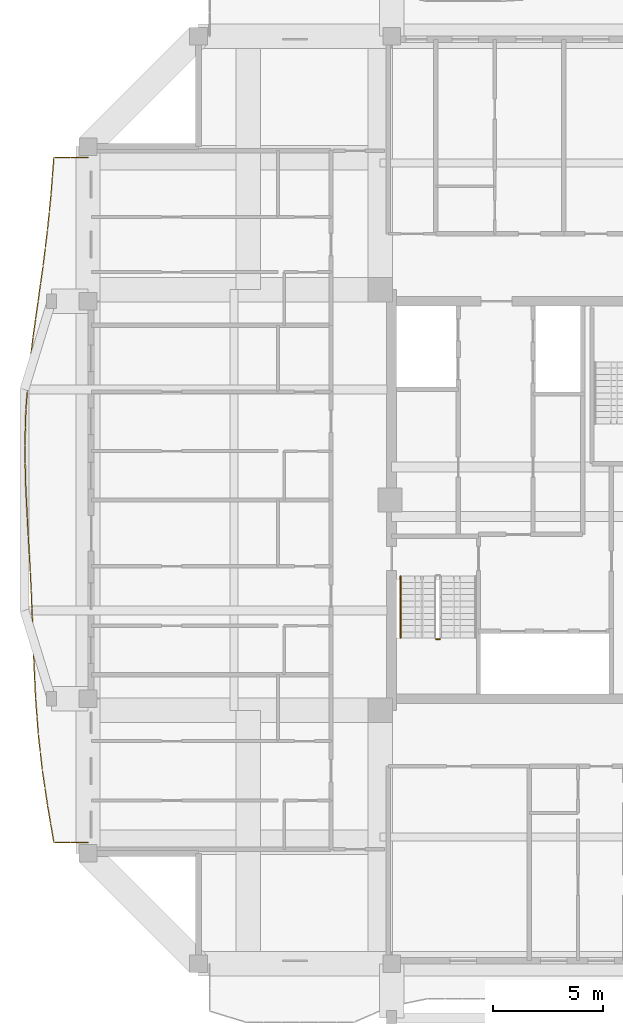
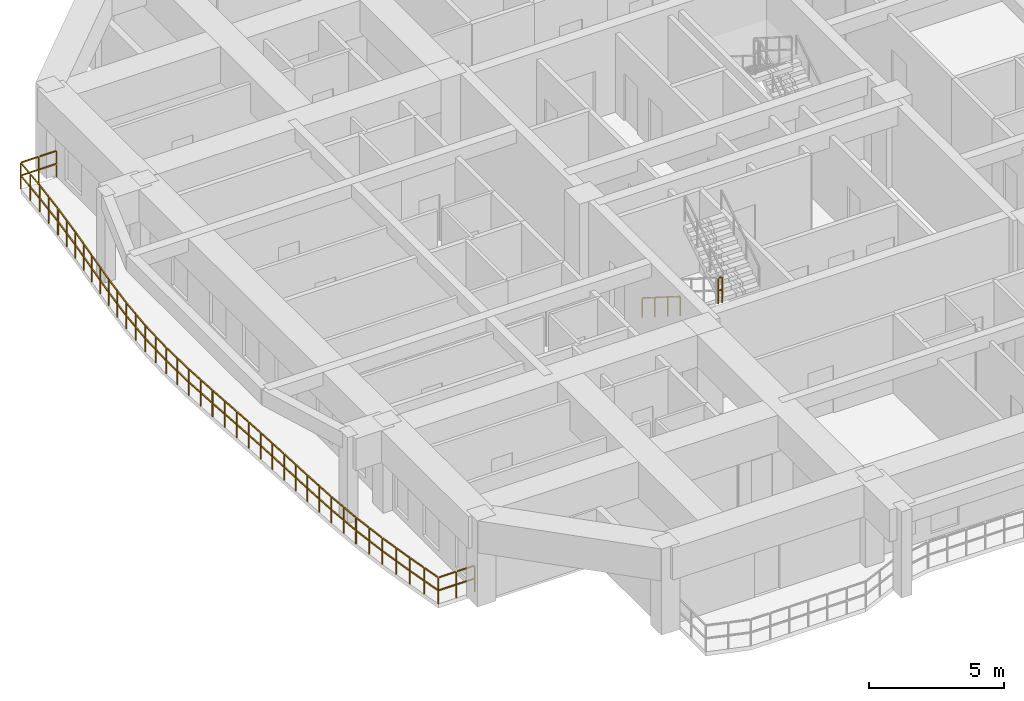
# One storey, part 10 of 13: 3 railings.
"""IFC4 building model written with IfcOpenShell, lengths in metres."""

from ifc_helpers import new_model, si_unit, direction, frame, origin, origin_2d, place, context, subcontext, project, spatial, rectangle, extrude, material, type_object, element, save


model = new_model("IFC4")

# Units and contexts
model_context = context("Model", 3, precision=1e-05, world=origin(), true_north=direction((0.0, 1.0)))
body_context = subcontext(model_context, "Body", "Model", "MODEL_VIEW")
ifc_project = project(units=[si_unit("LENGTHUNIT", "METRE"), si_unit("AREAUNIT", "SQUARE_METRE"), si_unit("VOLUMEUNIT", "CUBIC_METRE"), si_unit("PLANEANGLEUNIT", "RADIAN"), si_unit("MASSUNIT", "GRAM", prefix="KILO")], contexts=[model_context])

# Site, building, storey
site_placement = place(None, origin())
site = spatial("IfcSite", under=ifc_project, at=site_placement, CompositionType="ELEMENT")
building_placement = place(site_placement, origin())
building = spatial("IfcBuilding", under=site, at=building_placement, Name="Saelheon Loggia Tower", CompositionType="ELEMENT")
storey_placement = place(building_placement, frame((0.0, 0.0, 192.699951171875)))
storey = spatial("IfcBuildingStorey", under=building, at=storey_placement, Name="L60", CompositionType="ELEMENT", Elevation=192.699951171875)

# Railings
ifc_material_1 = material(Name="Architectural Precast Concrete and Laminated Glass Guard", Category="concrete")
railing_type_1 = type_object("IfcRailingType", Name="Guard_Loggia_RL_LOG", PredefinedType="BALUSTRADE", material=ifc_material_1)
railing_1_placement = place(storey_placement, frame((17.75, 42.5, 0.0)))
element("IfcRailing", 1, at=railing_1_placement, inside=storey, type_object=railing_type_1, Name="L60 West Loggia Balustrade", PredefinedType="BALUSTRADE", context=body_context, shape_type="SweptSolid", body=[
    extrude(rectangle(XDim=0.048095703125, YDim=0.048095703125, at=origin_2d()), frame((-0.033203125, 0.0, 1.19580078125), z_axis=(-1.0, 0.0, 0.0), x_axis=(0.0, -1.0, 0.0)), (0.0, 0.0, 1.0), 0.70849609375),
    extrude(rectangle(XDim=0.048095703125, YDim=0.048095703125, at=origin_2d()), frame((-0.033203125, 0.0, 0.60986328125), z_axis=(-1.0, 0.0, 0.0), x_axis=(0.0, -1.0, 0.0)), (0.0, 0.0, 1.0), 0.70849609375),
    extrude(rectangle(XDim=0.048095703125, YDim=0.048095703125, at=origin_2d()), frame((-0.808349609375, 0.0, 1.19580078125), z_axis=(-1.0, 0.0, 0.0), x_axis=(0.0, -1.0, 0.0)), (0.0, 0.0, 1.0), 0.70849609375),
    extrude(rectangle(XDim=0.048095703125, YDim=0.048095703125, at=origin_2d()), frame((-0.808349609375, 0.0, 0.60986328125), z_axis=(-1.0, 0.0, 0.0), x_axis=(0.0, -1.0, 0.0)), (0.0, 0.0, 1.0), 0.70849609375),
    extrude(rectangle(XDim=0.048095703125, YDim=0.048095703125, at=origin_2d()), frame((-1.552490234375, -0.033203125, 1.19580078125), z_axis=(-0.076388448974, -0.997078133781, 0.0), x_axis=(0.997078133781, -0.076388448974, 0.0)), (0.0, 0.0, 1.0), 0.751708984375),
    extrude(rectangle(XDim=0.048095703125, YDim=0.048095703125, at=origin_2d()), frame((-1.552490234375, -0.033203125, 0.60986328125), z_axis=(-0.076388448974, -0.997078133781, 0.0), x_axis=(0.997078133781, -0.076388448974, 0.0)), (0.0, 0.0, 1.0), 0.751708984375),
    extrude(rectangle(XDim=0.048095703125, YDim=0.048095703125, at=origin_2d()), frame((-1.614990234375, -0.848876953125, 1.19580078125), z_axis=(-0.076388448974, -0.997078133781, 0.0), x_axis=(0.997078133781, -0.076388448974, 0.0)), (0.0, 0.0, 1.0), 0.751708984375),
    extrude(rectangle(XDim=0.048095703125, YDim=0.048095703125, at=origin_2d()), frame((-1.614990234375, -0.848876953125, 0.60986328125), z_axis=(-0.076388448974, -0.997078133781, 0.0), x_axis=(0.997078133781, -0.076388448974, 0.0)), (0.0, 0.0, 1.0), 0.751708984375),
    extrude(rectangle(XDim=0.048095703125, YDim=0.048095703125, at=origin_2d()), frame((-1.67822265625, -1.66455078125, 1.19580078125), z_axis=(-0.099164643461, -0.995071039417, 0.0), x_axis=(0.995071039417, -0.099164643461, 0.0)), (0.0, 0.0, 1.0), 0.75341796875),
    extrude(rectangle(XDim=0.048095703125, YDim=0.048095703125, at=origin_2d()), frame((-1.67822265625, -1.66455078125, 0.60986328125), z_axis=(-0.099164643461, -0.995071039417, 0.0), x_axis=(0.995071039417, -0.099164643461, 0.0)), (0.0, 0.0, 1.0), 0.75341796875),
    extrude(rectangle(XDim=0.048095703125, YDim=0.048095703125, at=origin_2d()), frame((-1.759521484375, -2.48046875, 1.19580078125), z_axis=(-0.099164643461, -0.995071039417, 0.0), x_axis=(0.995071039417, -0.099164643461, 0.0)), (0.0, 0.0, 1.0), 0.75341796875),
    extrude(rectangle(XDim=0.048095703125, YDim=0.048095703125, at=origin_2d()), frame((-1.759521484375, -2.48046875, 0.60986328125), z_axis=(-0.099164643461, -0.995071039417, 0.0), x_axis=(0.995071039417, -0.099164643461, 0.0)), (0.0, 0.0, 1.0), 0.75341796875),
    extrude(rectangle(XDim=0.048095703125, YDim=0.048095703125, at=origin_2d()), frame((-1.841796875, -3.296142578125, 1.19580078125), z_axis=(-0.122224972711, -0.992502421179, 0.0), x_axis=(0.992502421179, -0.122224972711, 0.0)), (0.0, 0.0, 1.0), 0.75537109375),
    extrude(rectangle(XDim=0.048095703125, YDim=0.048095703125, at=origin_2d()), frame((-1.841796875, -3.296142578125, 0.60986328125), z_axis=(-0.122224972711, -0.992502421179, 0.0), x_axis=(0.992502421179, -0.122224972711, 0.0)), (0.0, 0.0, 1.0), 0.75537109375),
    extrude(rectangle(XDim=0.048095703125, YDim=0.048095703125, at=origin_2d()), frame((-1.942138671875, -4.112060546875, 1.19580078125), z_axis=(-0.122224972711, -0.992502421179, 0.0), x_axis=(0.992502421179, -0.122224972711, 0.0)), (0.0, 0.0, 1.0), 0.75537109375),
    extrude(rectangle(XDim=0.048095703125, YDim=0.048095703125, at=origin_2d()), frame((-1.942138671875, -4.112060546875, 0.60986328125), z_axis=(-0.122224972711, -0.992502421179, 0.0), x_axis=(0.992502421179, -0.122224972711, 0.0)), (0.0, 0.0, 1.0), 0.75537109375),
    extrude(rectangle(XDim=0.048095703125, YDim=0.048095703125, at=origin_2d()), frame((-2.043212890625, -4.927734375, 1.19580078125), z_axis=(-0.138993727262, -0.990293261505, 0.0), x_axis=(0.990293261505, -0.138993727262, 0.0)), (0.0, 0.0, 1.0), 0.75732421875),
    extrude(rectangle(XDim=0.048095703125, YDim=0.048095703125, at=origin_2d()), frame((-2.043212890625, -4.927734375, 0.60986328125), z_axis=(-0.138993727262, -0.990293261505, 0.0), x_axis=(0.990293261505, -0.138993727262, 0.0)), (0.0, 0.0, 1.0), 0.75732421875),
    extrude(rectangle(XDim=0.048095703125, YDim=0.048095703125, at=origin_2d()), frame((-2.15771484375, -5.743408203125, 1.19580078125), z_axis=(-0.138993727262, -0.990293261505, 0.0), x_axis=(0.990293261505, -0.138993727262, 0.0)), (0.0, 0.0, 1.0), 0.75732421875),
    extrude(rectangle(XDim=0.048095703125, YDim=0.048095703125, at=origin_2d()), frame((-2.15771484375, -5.743408203125, 0.60986328125), z_axis=(-0.138993727262, -0.990293261505, 0.0), x_axis=(0.990293261505, -0.138993727262, 0.0)), (0.0, 0.0, 1.0), 0.75732421875),
    extrude(rectangle(XDim=0.048095703125, YDim=0.048095703125, at=origin_2d()), frame((-2.272216796875, -6.559326171875, 1.19580078125), z_axis=(-0.138848404574, -0.990313647562, 0.0), x_axis=(0.990313647562, -0.138848404574, 0.0)), (0.0, 0.0, 1.0), 0.75732421875),
    extrude(rectangle(XDim=0.048095703125, YDim=0.048095703125, at=origin_2d()), frame((-2.272216796875, -6.559326171875, 0.60986328125), z_axis=(-0.138848404574, -0.990313647562, 0.0), x_axis=(0.990313647562, -0.138848404574, 0.0)), (0.0, 0.0, 1.0), 0.75732421875),
    extrude(rectangle(XDim=0.048095703125, YDim=0.048095703125, at=origin_2d()), frame((-2.386474609375, -7.375, 1.19580078125), z_axis=(-0.138848404574, -0.990313647562, 0.0), x_axis=(0.990313647562, -0.138848404574, 0.0)), (0.0, 0.0, 1.0), 0.75732421875),
    extrude(rectangle(XDim=0.048095703125, YDim=0.048095703125, at=origin_2d()), frame((-2.386474609375, -7.375, 0.60986328125), z_axis=(-0.138848404574, -0.990313647562, 0.0), x_axis=(0.990313647562, -0.138848404574, 0.0)), (0.0, 0.0, 1.0), 0.75732421875),
    extrude(rectangle(XDim=0.048095703125, YDim=0.048095703125, at=origin_2d()), frame((-2.500244140625, -8.19091796875, 1.19580078125), z_axis=(-0.117393022893, -0.993085534169, 0.0), x_axis=(0.993085534169, -0.117393022893, 0.0)), (0.0, 0.0, 1.0), 0.755126953125),
    extrude(rectangle(XDim=0.048095703125, YDim=0.048095703125, at=origin_2d()), frame((-2.500244140625, -8.19091796875, 0.60986328125), z_axis=(-0.117393022893, -0.993085534169, 0.0), x_axis=(0.993085534169, -0.117393022893, 0.0)), (0.0, 0.0, 1.0), 0.755126953125),
    extrude(rectangle(XDim=0.048095703125, YDim=0.048095703125, at=origin_2d()), frame((-2.5966796875, -9.0068359375, 1.19580078125), z_axis=(-0.117393022893, -0.993085534169, 0.0), x_axis=(0.993085534169, -0.117393022893, 0.0)), (0.0, 0.0, 1.0), 0.755126953125),
    extrude(rectangle(XDim=0.048095703125, YDim=0.048095703125, at=origin_2d()), frame((-2.5966796875, -9.0068359375, 0.60986328125), z_axis=(-0.117393022893, -0.993085534169, 0.0), x_axis=(0.993085534169, -0.117393022893, 0.0)), (0.0, 0.0, 1.0), 0.755126953125),
    extrude(rectangle(XDim=0.048095703125, YDim=0.048095703125, at=origin_2d()), frame((-2.691650390625, -9.82275390625, 1.19580078125), z_axis=(-0.07668509002, -0.997055363041, 0.0), x_axis=(0.997055363041, -0.07668509002, 0.0)), (0.0, 0.0, 1.0), 0.751708984375),
    extrude(rectangle(XDim=0.048095703125, YDim=0.048095703125, at=origin_2d()), frame((-2.691650390625, -9.82275390625, 0.60986328125), z_axis=(-0.07668509002, -0.997055363041, 0.0), x_axis=(0.997055363041, -0.07668509002, 0.0)), (0.0, 0.0, 1.0), 0.751708984375),
    extrude(rectangle(XDim=0.048095703125, YDim=0.048095703125, at=origin_2d()), frame((-2.75439453125, -10.638427734375, 1.19580078125), z_axis=(-0.07668509002, -0.997055363041, 0.0), x_axis=(0.997055363041, -0.07668509002, 0.0)), (0.0, 0.0, 1.0), 0.751708984375),
    extrude(rectangle(XDim=0.048095703125, YDim=0.048095703125, at=origin_2d()), frame((-2.75439453125, -10.638427734375, 0.60986328125), z_axis=(-0.07668509002, -0.997055363041, 0.0), x_axis=(0.997055363041, -0.07668509002, 0.0)), (0.0, 0.0, 1.0), 0.751708984375),
    extrude(rectangle(XDim=0.048095703125, YDim=0.048095703125, at=origin_2d()), frame((-2.815673828125, -11.454345703125, 1.19580078125), z_axis=(-0.027077766049, -0.999633330069, 0.0), x_axis=(0.999633330069, -0.027077766049, 0.0)), (0.0, 0.0, 1.0), 0.74951171875),
    extrude(rectangle(XDim=0.048095703125, YDim=0.048095703125, at=origin_2d()), frame((-2.815673828125, -11.454345703125, 0.60986328125), z_axis=(-0.027077766049, -0.999633330069, 0.0), x_axis=(0.999633330069, -0.027077766049, 0.0)), (0.0, 0.0, 1.0), 0.74951171875),
    extrude(rectangle(XDim=0.048095703125, YDim=0.048095703125, at=origin_2d()), frame((-2.837646484375, -12.27001953125, 1.19580078125), z_axis=(-0.027077766049, -0.999633330069, 0.0), x_axis=(0.999633330069, -0.027077766049, 0.0)), (0.0, 0.0, 1.0), 0.74951171875),
    extrude(rectangle(XDim=0.048095703125, YDim=0.048095703125, at=origin_2d()), frame((-2.837646484375, -12.27001953125, 0.60986328125), z_axis=(-0.027077766049, -0.999633330069, 0.0), x_axis=(0.999633330069, -0.027077766049, 0.0)), (0.0, 0.0, 1.0), 0.74951171875),
    extrude(rectangle(XDim=0.048095703125, YDim=0.048095703125, at=origin_2d()), frame((-2.8583984375, -13.085693359375, 1.19580078125), z_axis=(0.017803552147, -0.999841504205, 0.0), x_axis=(0.999841504205, 0.017803552147, 0.0)), (0.0, 0.0, 1.0), 0.74951171875),
    extrude(rectangle(XDim=0.048095703125, YDim=0.048095703125, at=origin_2d()), frame((-2.8583984375, -13.085693359375, 0.60986328125), z_axis=(0.017803552147, -0.999841504205, 0.0), x_axis=(0.999841504205, 0.017803552147, 0.0)), (0.0, 0.0, 1.0), 0.74951171875),
    extrude(rectangle(XDim=0.048095703125, YDim=0.048095703125, at=origin_2d()), frame((-2.84375, -13.901611328125, 1.19580078125), z_axis=(0.017803552147, -0.999841504205, 0.0), x_axis=(0.999841504205, 0.017803552147, 0.0)), (0.0, 0.0, 1.0), 0.74951171875),
    extrude(rectangle(XDim=0.048095703125, YDim=0.048095703125, at=origin_2d()), frame((-2.84375, -13.901611328125, 0.60986328125), z_axis=(0.017803552147, -0.999841504205, 0.0), x_axis=(0.999841504205, 0.017803552147, 0.0)), (0.0, 0.0, 1.0), 0.74951171875),
    extrude(rectangle(XDim=0.048095703125, YDim=0.048095703125, at=origin_2d()), frame((-2.828369140625, -14.71728515625, 1.19580078125), z_axis=(0.047373442202, -0.998877248201, 0.0), x_axis=(0.998877248201, 0.047373442202, 0.0)), (0.0, 0.0, 1.0), 0.75048828125),
    extrude(rectangle(XDim=0.048095703125, YDim=0.048095703125, at=origin_2d()), frame((-2.828369140625, -14.71728515625, 0.60986328125), z_axis=(0.047373442202, -0.998877248201, 0.0), x_axis=(0.998877248201, 0.047373442202, 0.0)), (0.0, 0.0, 1.0), 0.75048828125),
    extrude(rectangle(XDim=0.048095703125, YDim=0.048095703125, at=origin_2d()), frame((-2.78955078125, -15.533203125, 1.19580078125), z_axis=(0.047373442202, -0.998877248201, 0.0), x_axis=(0.998877248201, 0.047373442202, 0.0)), (0.0, 0.0, 1.0), 0.75048828125),
    extrude(rectangle(XDim=0.048095703125, YDim=0.048095703125, at=origin_2d()), frame((-2.78955078125, -15.533203125, 0.60986328125), z_axis=(0.047373442202, -0.998877248201, 0.0), x_axis=(0.998877248201, 0.047373442202, 0.0)), (0.0, 0.0, 1.0), 0.75048828125),
    extrude(rectangle(XDim=0.048095703125, YDim=0.048095703125, at=origin_2d()), frame((-2.75048828125, -16.34912109375, 1.19580078125), z_axis=(0.057066808054, -0.998370361849, 0.0), x_axis=(0.998370361849, 0.057066808054, 0.0)), (0.0, 0.0, 1.0), 0.750732421875),
    extrude(rectangle(XDim=0.048095703125, YDim=0.048095703125, at=origin_2d()), frame((-2.75048828125, -16.34912109375, 0.60986328125), z_axis=(0.057066808054, -0.998370361849, 0.0), x_axis=(0.998370361849, 0.057066808054, 0.0)), (0.0, 0.0, 1.0), 0.750732421875),
    extrude(rectangle(XDim=0.048095703125, YDim=0.048095703125, at=origin_2d()), frame((-2.703857421875, -17.164794921875, 1.19580078125), z_axis=(0.057066808054, -0.998370361849, 0.0), x_axis=(0.998370361849, 0.057066808054, 0.0)), (0.0, 0.0, 1.0), 0.750732421875),
    extrude(rectangle(XDim=0.048095703125, YDim=0.048095703125, at=origin_2d()), frame((-2.703857421875, -17.164794921875, 0.60986328125), z_axis=(0.057066808054, -0.998370361849, 0.0), x_axis=(0.998370361849, 0.057066808054, 0.0)), (0.0, 0.0, 1.0), 0.750732421875),
    extrude(rectangle(XDim=0.048095703125, YDim=0.048095703125, at=origin_2d()), frame((-2.657470703125, -17.980712890625, 1.19580078125), z_axis=(0.051264440906, -0.998685114087, 0.0), x_axis=(0.998685114087, 0.051264440906, 0.0)), (0.0, 0.0, 1.0), 0.750244140625),
    extrude(rectangle(XDim=0.048095703125, YDim=0.048095703125, at=origin_2d()), frame((-2.657470703125, -17.980712890625, 0.60986328125), z_axis=(0.051264440906, -0.998685114087, 0.0), x_axis=(0.998685114087, 0.051264440906, 0.0)), (0.0, 0.0, 1.0), 0.750244140625),
    extrude(rectangle(XDim=0.048095703125, YDim=0.048095703125, at=origin_2d()), frame((-2.61572265625, -18.79638671875, 1.19580078125), z_axis=(0.051264440906, -0.998685114087, 0.0), x_axis=(0.998685114087, 0.051264440906, 0.0)), (0.0, 0.0, 1.0), 0.750244140625),
    extrude(rectangle(XDim=0.048095703125, YDim=0.048095703125, at=origin_2d()), frame((-2.61572265625, -18.79638671875, 0.60986328125), z_axis=(0.051264440906, -0.998685114087, 0.0), x_axis=(0.998685114087, 0.051264440906, 0.0)), (0.0, 0.0, 1.0), 0.750244140625),
    extrude(rectangle(XDim=0.048095703125, YDim=0.048095703125, at=origin_2d()), frame((-2.57421875, -19.612060546875, 1.19580078125), z_axis=(0.039920270214, -0.999202868304, 0.0), x_axis=(0.999202868304, 0.039920270214, 0.0)), (0.0, 0.0, 1.0), 0.75),
    extrude(rectangle(XDim=0.048095703125, YDim=0.048095703125, at=origin_2d()), frame((-2.57421875, -19.612060546875, 0.60986328125), z_axis=(0.039920270214, -0.999202868304, 0.0), x_axis=(0.999202868304, 0.039920270214, 0.0)), (0.0, 0.0, 1.0), 0.75),
    extrude(rectangle(XDim=0.048095703125, YDim=0.048095703125, at=origin_2d()), frame((-2.54150390625, -20.427978515625, 1.19580078125), z_axis=(0.039920270214, -0.999202868304, 0.0), x_axis=(0.999202868304, 0.039920270214, 0.0)), (0.0, 0.0, 1.0), 0.75),
    extrude(rectangle(XDim=0.048095703125, YDim=0.048095703125, at=origin_2d()), frame((-2.54150390625, -20.427978515625, 0.60986328125), z_axis=(0.039920270214, -0.999202868304, 0.0), x_axis=(0.999202868304, 0.039920270214, 0.0)), (0.0, 0.0, 1.0), 0.75),
    extrude(rectangle(XDim=0.048095703125, YDim=0.048095703125, at=origin_2d()), frame((-2.509033203125, -21.24365234375, 1.19580078125), z_axis=(0.035440836595, -0.999371776218, 0.0), x_axis=(0.999371776218, 0.035440836595, 0.0)), (0.0, 0.0, 1.0), 0.749755859375),
    extrude(rectangle(XDim=0.048095703125, YDim=0.048095703125, at=origin_2d()), frame((-2.509033203125, -21.24365234375, 0.60986328125), z_axis=(0.035440836595, -0.999371776218, 0.0), x_axis=(0.999371776218, 0.035440836595, 0.0)), (0.0, 0.0, 1.0), 0.749755859375),
    extrude(rectangle(XDim=0.048095703125, YDim=0.048095703125, at=origin_2d()), frame((-2.480224609375, -22.0595703125, 1.19580078125), z_axis=(0.035440836595, -0.999371776218, 0.0), x_axis=(0.999371776218, 0.035440836595, 0.0)), (0.0, 0.0, 1.0), 0.749755859375),
    extrude(rectangle(XDim=0.048095703125, YDim=0.048095703125, at=origin_2d()), frame((-2.480224609375, -22.0595703125, 0.60986328125), z_axis=(0.035440836595, -0.999371776218, 0.0), x_axis=(0.999371776218, 0.035440836595, 0.0)), (0.0, 0.0, 1.0), 0.749755859375),
    extrude(rectangle(XDim=0.048095703125, YDim=0.048095703125, at=origin_2d()), frame((-2.450927734375, -22.875244140625, 1.19580078125), z_axis=(0.04633652921, -0.99892588617, 0.0), x_axis=(0.99892588617, 0.04633652921, 0.0)), (0.0, 0.0, 1.0), 0.750244140625),
    extrude(rectangle(XDim=0.048095703125, YDim=0.048095703125, at=origin_2d()), frame((-2.450927734375, -22.875244140625, 0.60986328125), z_axis=(0.04633652921, -0.99892588617, 0.0), x_axis=(0.99892588617, 0.04633652921, 0.0)), (0.0, 0.0, 1.0), 0.750244140625),
    extrude(rectangle(XDim=0.048095703125, YDim=0.048095703125, at=origin_2d()), frame((-2.4130859375, -23.69091796875, 1.19580078125), z_axis=(0.04633652921, -0.99892588617, 0.0), x_axis=(0.99892588617, 0.04633652921, 0.0)), (0.0, 0.0, 1.0), 0.750244140625),
    extrude(rectangle(XDim=0.048095703125, YDim=0.048095703125, at=origin_2d()), frame((-2.4130859375, -23.69091796875, 0.60986328125), z_axis=(0.04633652921, -0.99892588617, 0.0), x_axis=(0.99892588617, 0.04633652921, 0.0)), (0.0, 0.0, 1.0), 0.750244140625),
    extrude(rectangle(XDim=0.048095703125, YDim=0.048095703125, at=origin_2d()), frame((-2.374267578125, -24.5068359375, 1.19580078125), z_axis=(0.074162999853, -0.997246132834, 0.0), x_axis=(0.997246132834, 0.074162999853, 0.0)), (0.0, 0.0, 1.0), 0.75146484375),
    extrude(rectangle(XDim=0.048095703125, YDim=0.048095703125, at=origin_2d()), frame((-2.374267578125, -24.5068359375, 0.60986328125), z_axis=(0.074162999853, -0.997246132834, 0.0), x_axis=(0.997246132834, 0.074162999853, 0.0)), (0.0, 0.0, 1.0), 0.75146484375),
    extrude(rectangle(XDim=0.048095703125, YDim=0.048095703125, at=origin_2d()), frame((-2.3134765625, -25.322509765625, 1.19580078125), z_axis=(0.074162999853, -0.997246132834, 0.0), x_axis=(0.997246132834, 0.074162999853, 0.0)), (0.0, 0.0, 1.0), 0.75146484375),
    extrude(rectangle(XDim=0.048095703125, YDim=0.048095703125, at=origin_2d()), frame((-2.3134765625, -25.322509765625, 0.60986328125), z_axis=(0.074162999853, -0.997246132834, 0.0), x_axis=(0.997246132834, 0.074162999853, 0.0)), (0.0, 0.0, 1.0), 0.75146484375),
    extrude(rectangle(XDim=0.048095703125, YDim=0.048095703125, at=origin_2d()), frame((-2.251708984375, -26.13818359375, 1.19580078125), z_axis=(0.111671794523, -0.993745143539, 0.0), x_axis=(0.993745143539, 0.111671794523, 0.0)), (0.0, 0.0, 1.0), 0.75439453125),
    extrude(rectangle(XDim=0.048095703125, YDim=0.048095703125, at=origin_2d()), frame((-2.251708984375, -26.13818359375, 0.60986328125), z_axis=(0.111671794523, -0.993745143539, 0.0), x_axis=(0.993745143539, 0.111671794523, 0.0)), (0.0, 0.0, 1.0), 0.75439453125),
    extrude(rectangle(XDim=0.048095703125, YDim=0.048095703125, at=origin_2d()), frame((-2.159912109375, -26.9541015625, 1.19580078125), z_axis=(0.111671794523, -0.993745143539, 0.0), x_axis=(0.993745143539, 0.111671794523, 0.0)), (0.0, 0.0, 1.0), 0.75439453125),
    extrude(rectangle(XDim=0.048095703125, YDim=0.048095703125, at=origin_2d()), frame((-2.159912109375, -26.9541015625, 0.60986328125), z_axis=(0.111671794523, -0.993745143539, 0.0), x_axis=(0.993745143539, 0.111671794523, 0.0)), (0.0, 0.0, 1.0), 0.75439453125),
    extrude(rectangle(XDim=0.048095703125, YDim=0.048095703125, at=origin_2d()), frame((-2.067138671875, -27.769775390625, 1.19580078125), z_axis=(0.147262012595, -0.989097517764, 0.0), x_axis=(0.989097517764, 0.147262012595, 0.0)), (0.0, 0.0, 1.0), 0.75830078125),
    extrude(rectangle(XDim=0.048095703125, YDim=0.048095703125, at=origin_2d()), frame((-2.067138671875, -27.769775390625, 0.60986328125), z_axis=(0.147262012595, -0.989097517764, 0.0), x_axis=(0.989097517764, 0.147262012595, 0.0)), (0.0, 0.0, 1.0), 0.75830078125),
    extrude(rectangle(XDim=0.048095703125, YDim=0.048095703125, at=origin_2d()), frame((-1.945556640625, -28.58544921875, 1.19580078125), z_axis=(0.147262012595, -0.989097517764, 0.0), x_axis=(0.989097517764, 0.147262012595, 0.0)), (0.0, 0.0, 1.0), 0.75830078125),
    extrude(rectangle(XDim=0.048095703125, YDim=0.048095703125, at=origin_2d()), frame((-1.945556640625, -28.58544921875, 0.60986328125), z_axis=(0.147262012595, -0.989097517764, 0.0), x_axis=(0.989097517764, 0.147262012595, 0.0)), (0.0, 0.0, 1.0), 0.75830078125),
    extrude(rectangle(XDim=0.048095703125, YDim=0.048095703125, at=origin_2d()), frame((-1.823486328125, -29.401123046875, 1.19580078125), z_axis=(0.168583084277, -0.985687447265, 0.0), x_axis=(0.985687447265, 0.168583084277, 0.0)), (0.0, 0.0, 1.0), 0.76123046875),
    extrude(rectangle(XDim=0.048095703125, YDim=0.048095703125, at=origin_2d()), frame((-1.823486328125, -29.401123046875, 0.60986328125), z_axis=(0.168583084277, -0.985687447265, 0.0), x_axis=(0.985687447265, 0.168583084277, 0.0)), (0.0, 0.0, 1.0), 0.76123046875),
    extrude(rectangle(XDim=0.048095703125, YDim=0.048095703125, at=origin_2d()), frame((-1.68408203125, -30.217041015625, 1.19580078125), z_axis=(0.168583084277, -0.985687447265, 0.0), x_axis=(0.985687447265, 0.168583084277, 0.0)), (0.0, 0.0, 1.0), 0.76123046875),
    extrude(rectangle(XDim=0.048095703125, YDim=0.048095703125, at=origin_2d()), frame((-1.68408203125, -30.217041015625, 0.60986328125), z_axis=(0.168583084277, -0.985687447265, 0.0), x_axis=(0.985687447265, 0.168583084277, 0.0)), (0.0, 0.0, 1.0), 0.76123046875),
    extrude(rectangle(XDim=0.048095703125, YDim=0.048095703125, at=origin_2d()), frame((-1.516845703125, -31.0, 1.19580078125), z_axis=(1.0, 0.0, 0.0), x_axis=(0.0, 1.0, 0.0)), (0.0, 0.0, 1.0), 0.70849609375),
    extrude(rectangle(XDim=0.048095703125, YDim=0.048095703125, at=origin_2d()), frame((-1.516845703125, -31.0, 0.60986328125), z_axis=(1.0, 0.0, 0.0), x_axis=(0.0, 1.0, 0.0)), (0.0, 0.0, 1.0), 0.70849609375),
    extrude(rectangle(XDim=0.048095703125, YDim=0.048095703125, at=origin_2d()), frame((-0.74169921875, -31.0, 1.19580078125), z_axis=(1.0, 0.0, 0.0), x_axis=(0.0, 1.0, 0.0)), (0.0, 0.0, 1.0), 0.70849609375),
    extrude(rectangle(XDim=0.048095703125, YDim=0.048095703125, at=origin_2d()), frame((-0.74169921875, -31.0, 0.60986328125), z_axis=(1.0, 0.0, 0.0), x_axis=(0.0, 1.0, 0.0)), (0.0, 0.0, 1.0), 0.70849609375),
    extrude(rectangle(XDim=0.0419921875, YDim=0.0419921875, at=origin_2d()), origin(), (0.0, 0.0, 1.0), 1.16796875),
    extrude(rectangle(XDim=0.0419921875, YDim=0.0419921875, at=origin_2d()), frame((-0.77490234375, 0.0, 0.0)), (0.0, 0.0, 1.0), 1.16796875),
    extrude(rectangle(XDim=0.0419921875, YDim=0.0419921875, at=origin_2d()), frame((-1.550048828125, 0.0, 0.0)), (0.0, 0.0, 1.0), 1.16796875),
    extrude(rectangle(XDim=0.0419921875, YDim=0.0419921875, at=origin_2d()), frame((-1.612548828125, -0.81591796875, 0.0)), (0.0, 0.0, 1.0), 1.16796875),
    extrude(rectangle(XDim=0.0419921875, YDim=0.0419921875, at=origin_2d()), frame((-1.675048828125, -1.631591796875, 0.0)), (0.0, 0.0, 1.0), 1.16796875),
    extrude(rectangle(XDim=0.0419921875, YDim=0.0419921875, at=origin_2d()), frame((-1.75634765625, -2.447265625, 0.0)), (0.0, 0.0, 1.0), 1.16796875),
    extrude(rectangle(XDim=0.0419921875, YDim=0.0419921875, at=origin_2d()), frame((-1.837646484375, -3.26318359375, 0.0)), (0.0, 0.0, 1.0), 1.16796875),
    extrude(rectangle(XDim=0.0419921875, YDim=0.0419921875, at=origin_2d()), frame((-1.93798828125, -4.0791015625, 0.0)), (0.0, 0.0, 1.0), 1.16796875),
    extrude(rectangle(XDim=0.0419921875, YDim=0.0419921875, at=origin_2d()), frame((-2.03857421875, -4.894775390625, 0.0)), (0.0, 0.0, 1.0), 1.16796875),
    extrude(rectangle(XDim=0.0419921875, YDim=0.0419921875, at=origin_2d()), frame((-2.153076171875, -5.71044921875, 0.0)), (0.0, 0.0, 1.0), 1.16796875),
    extrude(rectangle(XDim=0.0419921875, YDim=0.0419921875, at=origin_2d()), frame((-2.267578125, -6.5263671875, 0.0)), (0.0, 0.0, 1.0), 1.16796875),
    extrude(rectangle(XDim=0.0419921875, YDim=0.0419921875, at=origin_2d()), frame((-2.3818359375, -7.34228515625, 0.0)), (0.0, 0.0, 1.0), 1.16796875),
    extrude(rectangle(XDim=0.0419921875, YDim=0.0419921875, at=origin_2d()), frame((-2.496337890625, -8.157958984375, 0.0)), (0.0, 0.0, 1.0), 1.16796875),
    extrude(rectangle(XDim=0.0419921875, YDim=0.0419921875, at=origin_2d()), frame((-2.5927734375, -8.9736328125, 0.0)), (0.0, 0.0, 1.0), 1.16796875),
    extrude(rectangle(XDim=0.0419921875, YDim=0.0419921875, at=origin_2d()), frame((-2.689208984375, -9.78955078125, 0.0)), (0.0, 0.0, 1.0), 1.16796875),
    extrude(rectangle(XDim=0.0419921875, YDim=0.0419921875, at=origin_2d()), frame((-2.751953125, -10.60546875, 0.0)), (0.0, 0.0, 1.0), 1.16796875),
    extrude(rectangle(XDim=0.0419921875, YDim=0.0419921875, at=origin_2d()), frame((-2.814697265625, -11.421142578125, 0.0)), (0.0, 0.0, 1.0), 1.16796875),
    extrude(rectangle(XDim=0.0419921875, YDim=0.0419921875, at=origin_2d()), frame((-2.8369140625, -12.23681640625, 0.0)), (0.0, 0.0, 1.0), 1.16796875),
    extrude(rectangle(XDim=0.0419921875, YDim=0.0419921875, at=origin_2d()), frame((-2.85888671875, -13.052490234375, 0.0)), (0.0, 0.0, 1.0), 1.16796875),
    extrude(rectangle(XDim=0.0419921875, YDim=0.0419921875, at=origin_2d()), frame((-2.84423828125, -13.8681640625, 0.0)), (0.0, 0.0, 1.0), 1.16796875),
    extrude(rectangle(XDim=0.0419921875, YDim=0.0419921875, at=origin_2d()), frame((-2.829833984375, -14.68408203125, 0.0)), (0.0, 0.0, 1.0), 1.16796875),
    extrude(rectangle(XDim=0.0419921875, YDim=0.0419921875, at=origin_2d()), frame((-2.791015625, -15.5, 0.0)), (0.0, 0.0, 1.0), 1.16796875),
    extrude(rectangle(XDim=0.0419921875, YDim=0.0419921875, at=origin_2d()), frame((-2.75244140625, -16.31591796875, 0.0)), (0.0, 0.0, 1.0), 1.16796875),
    extrude(rectangle(XDim=0.0419921875, YDim=0.0419921875, at=origin_2d()), frame((-2.705810546875, -17.1318359375, 0.0)), (0.0, 0.0, 1.0), 1.16796875),
    extrude(rectangle(XDim=0.0419921875, YDim=0.0419921875, at=origin_2d()), frame((-2.6591796875, -17.947509765625, 0.0)), (0.0, 0.0, 1.0), 1.16796875),
    extrude(rectangle(XDim=0.0419921875, YDim=0.0419921875, at=origin_2d()), frame((-2.6171875, -18.76318359375, 0.0)), (0.0, 0.0, 1.0), 1.16796875),
    extrude(rectangle(XDim=0.0419921875, YDim=0.0419921875, at=origin_2d()), frame((-2.575439453125, -19.578857421875, 0.0)), (0.0, 0.0, 1.0), 1.16796875),
    extrude(rectangle(XDim=0.0419921875, YDim=0.0419921875, at=origin_2d()), frame((-2.54296875, -20.39453125, 0.0)), (0.0, 0.0, 1.0), 1.16796875),
    extrude(rectangle(XDim=0.0419921875, YDim=0.0419921875, at=origin_2d()), frame((-2.51025390625, -21.21044921875, 0.0)), (0.0, 0.0, 1.0), 1.16796875),
    extrude(rectangle(XDim=0.0419921875, YDim=0.0419921875, at=origin_2d()), frame((-2.4814453125, -22.0263671875, 0.0)), (0.0, 0.0, 1.0), 1.16796875),
    extrude(rectangle(XDim=0.0419921875, YDim=0.0419921875, at=origin_2d()), frame((-2.452392578125, -22.842041015625, 0.0)), (0.0, 0.0, 1.0), 1.16796875),
    extrude(rectangle(XDim=0.0419921875, YDim=0.0419921875, at=origin_2d()), frame((-2.41455078125, -23.65771484375, 0.0)), (0.0, 0.0, 1.0), 1.16796875),
    extrude(rectangle(XDim=0.0419921875, YDim=0.0419921875, at=origin_2d()), frame((-2.376708984375, -24.4736328125, 0.0)), (0.0, 0.0, 1.0), 1.16796875),
    extrude(rectangle(XDim=0.0419921875, YDim=0.0419921875, at=origin_2d()), frame((-2.31591796875, -25.28955078125, 0.0)), (0.0, 0.0, 1.0), 1.16796875),
    extrude(rectangle(XDim=0.0419921875, YDim=0.0419921875, at=origin_2d()), frame((-2.25537109375, -26.105224609375, 0.0)), (0.0, 0.0, 1.0), 1.16796875),
    extrude(rectangle(XDim=0.0419921875, YDim=0.0419921875, at=origin_2d()), frame((-2.16357421875, -26.9208984375, 0.0)), (0.0, 0.0, 1.0), 1.16796875),
    extrude(rectangle(XDim=0.0419921875, YDim=0.0419921875, at=origin_2d()), frame((-2.072021484375, -27.73681640625, 0.0)), (0.0, 0.0, 1.0), 1.16796875),
    extrude(rectangle(XDim=0.0419921875, YDim=0.0419921875, at=origin_2d()), frame((-1.95068359375, -28.552734375, 0.0)), (0.0, 0.0, 1.0), 1.16796875),
    extrude(rectangle(XDim=0.0419921875, YDim=0.0419921875, at=origin_2d()), frame((-1.8291015625, -29.368408203125, 0.0)), (0.0, 0.0, 1.0), 1.16796875),
    extrude(rectangle(XDim=0.0419921875, YDim=0.0419921875, at=origin_2d()), frame((-1.689453125, -30.18408203125, 0.0)), (0.0, 0.0, 1.0), 1.16796875),
    extrude(rectangle(XDim=0.0419921875, YDim=0.0419921875, at=origin_2d()), frame((-1.550048828125, -31.0, 0.0)), (0.0, 0.0, 1.0), 1.16796875),
    extrude(rectangle(XDim=0.0419921875, YDim=0.0419921875, at=origin_2d()), frame((-0.77490234375, -31.0, 0.0)), (0.0, 0.0, 1.0), 1.16796875),
    extrude(rectangle(XDim=0.0419921875, YDim=0.0419921875, at=origin_2d()), frame((0.0, -31.0, 0.0)), (0.0, 0.0, 1.0), 1.16796875),
])
ifc_material_2 = material(Name="Galvanised Steel S275 Stairwell Guardrail", Category="steel")
railing_type_2 = type_object("IfcRailingType", Name="Guard_StairWell_RL_STG", PredefinedType="GUARDRAIL", material=ifc_material_2)
railing_2_placement = place(storey_placement, frame((33.510009765625, 20.699951171875, 1.949951171875)))
element("IfcRailing", 2, at=railing_2_placement, inside=storey, type_object=railing_type_2, Name="L60 ST1 stair guard 2", PredefinedType="GUARDRAIL", context=body_context, shape_type="SweptSolid", body=[
    extrude(rectangle(XDim=0.048095703125, YDim=0.048095703125, at=origin_2d()), frame((0.033203125, 0.0, 1.17578125), z_axis=(1.0, 0.0, 0.0), x_axis=(0.0, 1.0, 0.0)), (0.0, 0.0, 1.0), 0.093505859375),
    extrude(rectangle(XDim=0.048095703125, YDim=0.048095703125, at=origin_2d()), frame((0.033203125, 0.0, 0.60009765625), z_axis=(1.0, 0.0, 0.0), x_axis=(0.0, 1.0, 0.0)), (0.0, 0.0, 1.0), 0.093505859375),
    extrude(rectangle(XDim=0.0419921875, YDim=0.0419921875, at=origin_2d()), origin(), (0.0, 0.0, 1.0), 1.14794921875),
    extrude(rectangle(XDim=0.0419921875, YDim=0.0419921875, at=origin_2d()), frame((0.159912109375, 0.0, 0.0)), (0.0, 0.0, 1.0), 1.14794921875),
])
ifc_material_3 = material(Name="Stainless Steel 304 Tubular Handrail", Category="steel")
railing_type_3 = type_object("IfcRailingType", Name="Handrail_Stair_RL_HR1", PredefinedType="HANDRAIL", material=ifc_material_3)
railing_3_placement = place(storey_placement, frame((31.89990234375, 23.550048828125, 0.17724609375)))
element("IfcRailing", 3, at=railing_3_placement, inside=storey, type_object=railing_type_3, Name="L60 ST1 stair handrail 1", PredefinedType="HANDRAIL", context=body_context, shape_type="SweptSolid", body=[
    extrude(rectangle(XDim=0.048095703125, YDim=0.048095703125, at=origin_2d()), frame((0.0, -0.028076171875, 0.8935546875), z_axis=(0.0, -0.844908973607, 0.534910110503), x_axis=(1.0, 0.0, 0.0)), (0.0, 0.0, 1.0), 1.0380859375),
    extrude(rectangle(XDim=0.048095703125, YDim=0.048095703125, at=origin_2d()), frame((0.0, -0.96142578125, 1.484619140625), z_axis=(0.0, -0.844908973607, 0.534910110503), x_axis=(1.0, 0.0, 0.0)), (0.0, 0.0, 1.0), 1.0380859375),
    extrude(rectangle(XDim=0.048095703125, YDim=0.048095703125, at=origin_2d()), frame((0.0, -1.894775390625, 2.075439453125), z_axis=(0.0, -0.844908973607, 0.534910110503), x_axis=(1.0, 0.0, 0.0)), (0.0, 0.0, 1.0), 1.0380859375),
    extrude(rectangle(XDim=0.0419921875, YDim=0.0419921875, at=origin_2d()), origin(), (0.0, 0.0, 1.0), 0.847900390625),
    extrude(rectangle(XDim=0.0419921875, YDim=0.0419921875, at=origin_2d()), frame((0.0, -0.933349609375, 0.5908203125)), (0.0, 0.0, 1.0), 0.847900390625),
    extrude(rectangle(XDim=0.0419921875, YDim=0.0419921875, at=origin_2d()), frame((0.0, -1.86669921875, 1.181884765625)), (0.0, 0.0, 1.0), 0.847900390625),
    extrude(rectangle(XDim=0.0419921875, YDim=0.0419921875, at=origin_2d()), frame((0.0, -2.800048828125, 1.772705078125)), (0.0, 0.0, 1.0), 0.847900390625),
])

save(model, "model.ifc")
